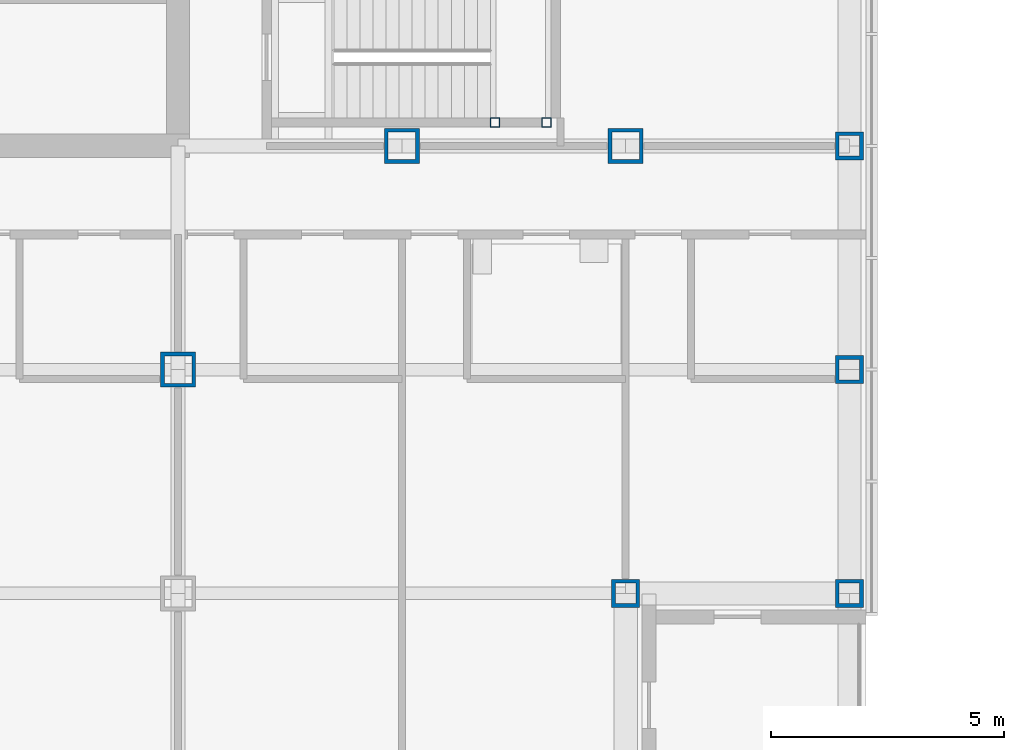
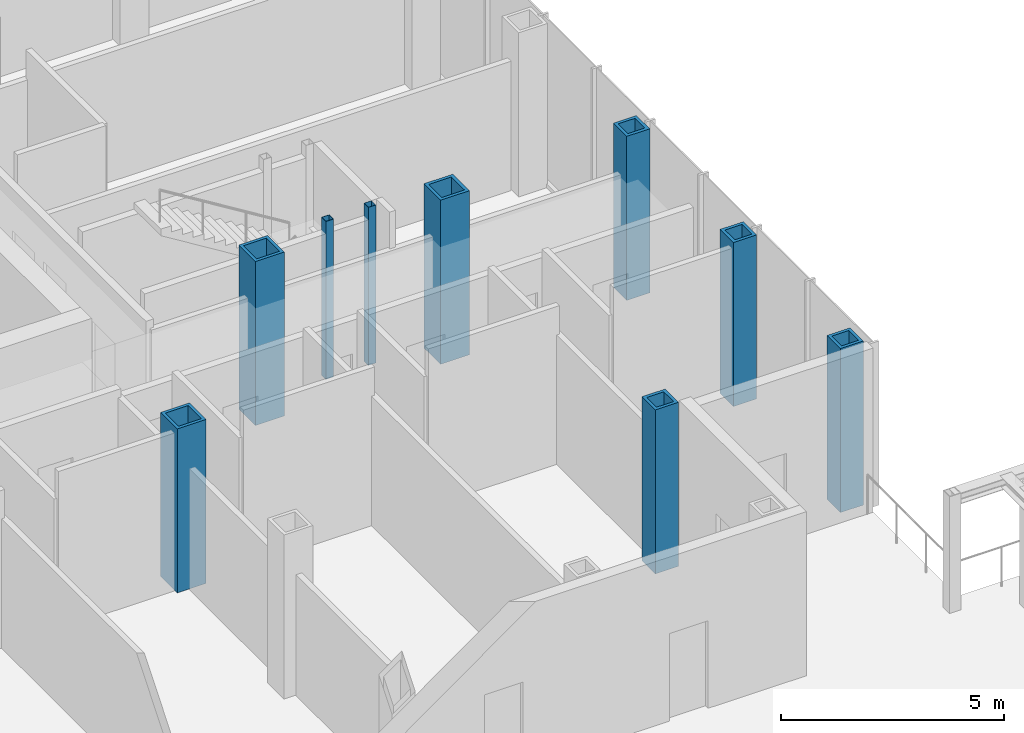
# One storey, part 4 of 24: 9 columns.
"""IFC4 building model written with IfcOpenShell, lengths in metres."""

from ifc_helpers import new_model, si_unit, direction, frame, origin, origin_2d, place, context, subcontext, project, spatial, hollow_rectangle, extrude, material, material_profile, profile_set, type_object, element, save


model = new_model("IFC4")

# Units and contexts
model_context = context("Model", 3, precision=1e-05, world=origin(), true_north=direction((0.0, 1.0)))
body_context = subcontext(model_context, "Body", "Model", "MODEL_VIEW")
ifc_project = project(units=[si_unit("LENGTHUNIT", "METRE"), si_unit("AREAUNIT", "SQUARE_METRE"), si_unit("VOLUMEUNIT", "CUBIC_METRE"), si_unit("PLANEANGLEUNIT", "RADIAN"), si_unit("MASSUNIT", "GRAM", prefix="KILO")], contexts=[model_context])

# Site, building, storey
site_placement = place(None, origin())
site = spatial("IfcSite", under=ifc_project, at=site_placement, CompositionType="ELEMENT")
building_placement = place(site_placement, origin())
building = spatial("IfcBuilding", under=site, at=building_placement, Name="Kvirike Care Tower", CompositionType="ELEMENT")
storey_placement = place(building_placement, frame((0.0, 0.0, 22.5)))
storey = spatial("IfcBuildingStorey", under=building, at=storey_placement, Name="L05", CompositionType="ELEMENT", Elevation=22.5)

# Columns
ifc_material_1 = material(Name="Steel S460", Category="steel")
ifc_material_profile_1 = material_profile(ifc_material_1, hollow_rectangle(XDim=0.60009765625, YDim=0.60009765625, WallThickness=0.080078125, at=origin_2d()), Name="BX 600x600x80")
ifc_profile_set_1 = profile_set([ifc_material_profile_1], Name="Steel S460")
column_type_1 = type_object("IfcColumnType", Name="COLUMN BX 600x600x80", PredefinedType="COLUMN", material=ifc_profile_set_1)
for number, where, z_axis, x_axis, name in (
    (1, (38.39990234375, 19.199951171875, 0.0), (0.0, 0.0, 1.0), (0.0, 1.0, 0.0), "Column E11 L05"),
    (2, (43.199951171875, 19.199951171875, 0.0), (0.0, 0.0, 1.0), (0.0, 1.0, 0.0), "Column E12 L05"),
    (3, (43.199951171875, 24.0, 0.0), (0.0, 0.0, 1.0), (1.0, 0.0, 0.0), "Column F12 L05"),
    (4, (43.199951171875, 28.800048828125, 0.0), (0.0, 0.0, 1.0), (0.0, 1.0, 0.0), "Column G12 L05"),
):
    element("IfcColumn", number, at=place(storey_placement, frame(where, z_axis=z_axis, x_axis=x_axis)), inside=storey, type_object=column_type_1, Name=name, PredefinedType="COLUMN", context=body_context, shape_type="SweptSolid", body=[
        extrude(hollow_rectangle(XDim=0.60009765625, YDim=0.60009765625, WallThickness=0.080078125, at=origin_2d()), origin(), (0.0, 0.0, 1.0), 4.5),
    ])
ifc_material_2 = material(Name="Steel S460", Category="steel")
ifc_material_profile_2 = material_profile(ifc_material_2, hollow_rectangle(XDim=0.75, YDim=0.75, WallThickness=0.080078125, at=origin_2d()), Name="BX 750x750x80")
ifc_profile_set_2 = profile_set([ifc_material_profile_2], Name="Steel S460")
column_type_2 = type_object("IfcColumnType", Name="COLUMN BX 750x750x80", PredefinedType="COLUMN", material=ifc_profile_set_2)
for number, where, z_axis, x_axis, name in (
    (5, (28.800048828125, 24.0, 0.0), (0.0, 0.0, 1.0), (1.0, 0.0, 0.0), "Column F9 L05"),
    (6, (33.60009765625, 28.800048828125, 0.0), (0.0, 0.0, 1.0), (0.0, 1.0, 0.0), "Column G10 L05"),
    (7, (38.39990234375, 28.800048828125, 0.0), (0.0, 0.0, 1.0), (0.0, 1.0, 0.0), "Column G11 L05"),
):
    element("IfcColumn", number, at=place(storey_placement, frame(where, z_axis=z_axis, x_axis=x_axis)), inside=storey, type_object=column_type_2, Name=name, PredefinedType="COLUMN", context=body_context, shape_type="SweptSolid", body=[
        extrude(hollow_rectangle(XDim=0.75, YDim=0.75, WallThickness=0.080078125, at=origin_2d()), origin(), (0.0, 0.0, 1.0), 4.5),
    ])
ifc_material_3 = material(Name="Steel S460", Category="steel")
ifc_material_profile_3 = material_profile(ifc_material_3, hollow_rectangle(XDim=0.199951171875, YDim=0.199951171875, WallThickness=0.008056640625, at=origin_2d()), Name="SHS 200x200x8")
ifc_profile_set_3 = profile_set([ifc_material_profile_3], Name="Steel S460")
column_type_3 = type_object("IfcColumnType", Name="STAIR POST SHS 200x200x8", PredefinedType="COLUMN", material=ifc_profile_set_3)
for number, where, z_axis, x_axis, name in (
    (8, (36.699951171875, 29.300048828125, 0.0), (0.0, 0.0, 1.0), (1.0, 0.0, 0.0), "Stair 2 post 1 L05"),
    (9, (35.60009765625, 29.300048828125, 0.0), (0.0, 0.0, 1.0), (1.0, 0.0, 0.0), "Stair 2 post 3 L05"),
):
    element("IfcColumn", number, at=place(storey_placement, frame(where, z_axis=z_axis, x_axis=x_axis)), inside=storey, type_object=column_type_3, Name=name, PredefinedType="COLUMN", context=body_context, shape_type="SweptSolid", body=[
        extrude(hollow_rectangle(XDim=0.199951171875, YDim=0.199951171875, WallThickness=0.008056640625, at=origin_2d()), origin(), (0.0, 0.0, 1.0), 4.330078125),
    ])

save(model, "model.ifc")
